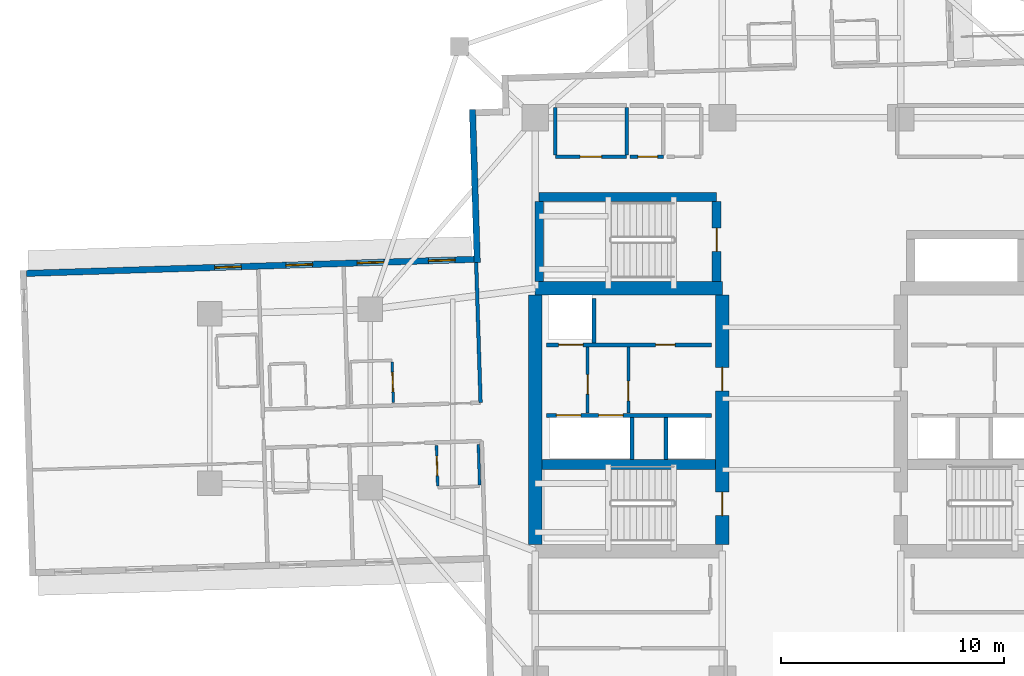
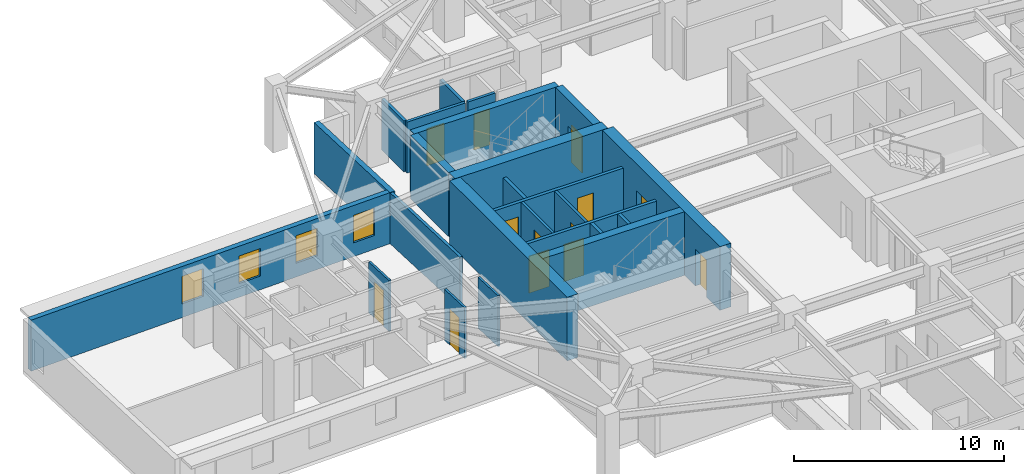
# One storey, part 5 of 14: 24 walls, 13 doors, 4 windows, 17 openings.
"""IFC4 building model written with IfcOpenShell, lengths in metres."""

import ifcopenshell
import ifcopenshell.guid

model = None  # the IFC model being written
_history = None  # IfcOwnerHistory: only IFC2X3 demands one
_inside = {}  # id of a spatial element -> (the spatial element, [elements in it])
_under = {}  # id of a project, library or spatial element -> (it, [spatial elements below it])
_declared = {}  # id of a project -> (the project, [libraries it declares])
_typed = {}  # id of a type object -> (the type object, [elements of that type])
_made_of = {}  # id of a material, layer set ... -> (it, [elements and type objects made of it])


def new_model(schema):
    """Start an empty IFC model of exactly this schema.

    Asked for "IFC4X3", IfcOpenShell would pick the latest addendum, in which some entities
    have other attributes; the version numbers below select the first issue.
    IFC2X3 requires an IfcOwnerHistory on every rooted entity: one is made here for all.
    """
    global model, _history
    if schema == "IFC4X3":
        model = ifcopenshell.file(schema_version=(4, 3, 0, 0))
    else:
        model = ifcopenshell.file(schema=schema)
    _inside.clear()
    _under.clear()
    _declared.clear()
    _typed.clear()
    _made_of.clear()
    _history = None
    if model.schema == "IFC2X3":
        org = make("IfcOrganization", Name="unknown")
        user = make(
            "IfcPersonAndOrganization",
            ThePerson=make("IfcPerson", FamilyName="unknown"),
            TheOrganization=org,
        )
        app = make(
            "IfcApplication",
            ApplicationDeveloper=org,
            Version="unknown",
            ApplicationFullName="unknown",
            ApplicationIdentifier="unknown",
        )
        _history = make(
            "IfcOwnerHistory",
            OwningUser=user,
            OwningApplication=app,
            ChangeAction="ADDED",
            CreationDate=0,
        )
    return model


def make(cls, **values):
    """One entity of the class cls with the attributes given. An attribute that is None is left unset."""
    return model.create_entity(
        cls, **{name: value for name, value in values.items() if value is not None}
    )


def rooted(cls, **values):
    """An entity with a GlobalId (a new one), such as an element, a storey or a relation."""
    return make(cls, GlobalId=ifcopenshell.guid.new(), OwnerHistory=_history, **values)


def si_unit(unit_type, name, prefix=None):
    """IfcSIUnit, for example si_unit("LENGTHUNIT", "METRE", prefix="MILLI")."""
    return make("IfcSIUnit", UnitType=unit_type, Prefix=prefix, Name=name)


def assignment(units):
    """IfcUnitAssignment: the units of a project."""
    return None if units is None else make("IfcUnitAssignment", Units=units)


def point(xyz):
    """IfcCartesianPoint."""
    return None if xyz is None else make("IfcCartesianPoint", Coordinates=xyz)


def direction(xyz):
    """IfcDirection."""
    return None if xyz is None else make("IfcDirection", DirectionRatios=xyz)


def frame(location, z_axis=None, x_axis=None):
    """IfcAxis2Placement3D, a coordinate frame: its origin and axes. An axis left out is left unset."""
    return make(
        "IfcAxis2Placement3D",
        Location=point(location),
        Axis=direction(z_axis),
        RefDirection=direction(x_axis),
    )


def frame_2d(location, x_axis=None):
    """IfcAxis2Placement2D, a coordinate frame in the plane: its origin and x axis."""
    return make(
        "IfcAxis2Placement2D", Location=point(location), RefDirection=direction(x_axis)
    )


def origin():
    """The frame at (0, 0, 0) with its axes left unset."""
    return frame((0.0, 0.0, 0.0))


def place(relative_to, where):
    """IfcLocalPlacement: puts the frame where relative to a parent placement (None: the world)."""
    return make(
        "IfcLocalPlacement", PlacementRelTo=relative_to, RelativePlacement=where
    )


def context(
    kind, dimensions, precision=None, world=None, true_north=None, identifier=None
):
    """IfcGeometricRepresentationContext, for example the 3D "Model" context."""
    return make(
        "IfcGeometricRepresentationContext",
        ContextIdentifier=identifier,
        ContextType=kind,
        CoordinateSpaceDimension=dimensions,
        Precision=precision,
        WorldCoordinateSystem=world,
        TrueNorth=true_north,
    )


def subcontext(parent, identifier, kind, view, scale=None):
    """IfcGeometricRepresentationSubContext, for example "Body" below "Model"."""
    return make(
        "IfcGeometricRepresentationSubContext",
        ContextIdentifier=identifier,
        ContextType=kind,
        ParentContext=parent,
        TargetScale=scale,
        TargetView=view,
    )


def project(units=None, contexts=None):
    """IfcProject with its units and contexts."""
    return rooted(
        "IfcProject",
        Name="project",
        RepresentationContexts=contexts,
        UnitsInContext=assignment(units),
    )


def spatial(cls, under=None, at=None, **own):
    """A site, building, storey or space (cls), placed at a placement, below another one or the project."""
    s = rooted(cls, ObjectPlacement=at, **own)
    if under is not None:
        _under.setdefault(under.id(), (under, []))[1].append(s)
    return s


def profile(cls, at=None, kind="AREA", **sizes):
    """A parametric profile (cls). Its sizes go by their IFC names, for example OverallWidth=200.0."""
    return make(cls, ProfileType=kind, Position=at, **sizes)


def rectangle(**sizes):
    """IfcRectangleProfileDef."""
    return profile("IfcRectangleProfileDef", **sizes)


def extrude(swept, where, along, depth):
    """IfcExtrudedAreaSolid: the profile swept, set in the frame where, extruded along a direction by depth."""
    return make(
        "IfcExtrudedAreaSolid",
        SweptArea=swept,
        Position=where,
        ExtrudedDirection=direction(along),
        Depth=depth,
    )


def shape(context_of_items, identifier, shape_type, items):
    """IfcShapeRepresentation: the items that make up one representation, for example the "Body"."""
    return make(
        "IfcShapeRepresentation",
        ContextOfItems=context_of_items,
        RepresentationIdentifier=identifier,
        RepresentationType=shape_type,
        Items=items,
    )


def material(Name=None, Category=None):
    """IfcMaterial."""
    return make("IfcMaterial", Name=Name, Category=Category)


def layer(
    of_material, thickness, ventilated=None, Name=None, Category=None, Priority=None
):
    """IfcMaterialLayer: one layer of a wall or slab, of a material (None: an air gap)."""
    return make(
        "IfcMaterialLayer",
        Material=of_material,
        LayerThickness=thickness,
        IsVentilated=ventilated,
        Name=Name,
        Category=Category,
        Priority=Priority,
    )


def layer_set(layers, Name=None):
    """IfcMaterialLayerSet."""
    return make("IfcMaterialLayerSet", MaterialLayers=layers, LayerSetName=Name)


def made_of(thing, what):
    """Note that an element or type object is made of a material, layer set ...; save() writes the relation."""
    if what is not None:
        _made_of.setdefault(what.id(), (what, []))[1].append(thing)
    return thing


def type_object(cls, material=None, **own):
    """A type object (cls), such as IfcWallType, which elements share."""
    return made_of(rooted(cls, **own), material)


def element(
    cls,
    number,
    at=None,
    inside=None,
    cuts=None,
    type_object=None,
    material=None,
    context=None,
    identifier="Body",
    shape_type=None,
    held_by="IfcProductDefinitionShape",
    body=None,
    shapes=None,
    **own,
):
    """One element of the class cls, such as IfcWall. Its Tag is "e" and its number.

    at: its placement. inside: the storey or other place that contains it. cuts: it is an
    opening in that element (IfcRelVoidsElement). A single representation is given by context,
    identifier, shape_type and body (its items); several are given by shapes. held_by: the class
    of the entity that holds the representations. save() writes the other relations.
    """
    e = rooted(cls, Tag="e%d" % number, ObjectPlacement=at, **own)
    if body is not None:
        shapes = [shape(context, identifier, shape_type, body)]
    if shapes is not None:
        e.Representation = make(held_by, Representations=shapes)
    if inside is not None:
        _inside.setdefault(inside.id(), (inside, []))[1].append(e)
    if cuts is not None:
        rooted(
            "IfcRelVoidsElement", RelatingBuildingElement=cuts, RelatedOpeningElement=e
        )
    if type_object is not None:
        _typed.setdefault(type_object.id(), (type_object, []))[1].append(e)
    return made_of(e, material)


def fill(opening, filler):
    """IfcRelFillsElement: the door or window that sits in an opening."""
    return rooted(
        "IfcRelFillsElement",
        RelatingOpeningElement=opening,
        RelatedBuildingElement=filler,
    )


def aggregate(whole, parts):
    """IfcRelAggregates: a whole, such as a stair, and the parts it consists of."""
    return rooted("IfcRelAggregates", RelatingObject=whole, RelatedObjects=parts)


def save(model, path):
    """Write the relations noted so far, then the file.

    IfcRelAggregates (storeys below a building ...), IfcRelContainedInSpatialStructure (elements
    in a storey), IfcRelDefinesByType, IfcRelAssociatesMaterial and IfcRelDeclares: one each for
    every whole, place, type object, material and project.
    """
    for whole, parts in _under.values():
        aggregate(whole, parts)
    for where, things in _inside.values():
        rooted(
            "IfcRelContainedInSpatialStructure",
            RelatedElements=things,
            RelatingStructure=where,
        )
    for kind, things in _typed.values():
        rooted("IfcRelDefinesByType", RelatedObjects=things, RelatingType=kind)
    for what, things in _made_of.values():
        rooted("IfcRelAssociatesMaterial", RelatedObjects=things, RelatingMaterial=what)
    for by, libraries in _declared.values():
        rooted("IfcRelDeclares", RelatingContext=by, RelatedDefinitions=libraries)
    model.write(path)


model = new_model("IFC4")

# Units and contexts
model_context = context("Model", 3, precision=1e-05, world=origin(), true_north=direction((0.0, 1.0)))
body_context = subcontext(model_context, "Body", "Model", "MODEL_VIEW")
ifc_project = project(units=[si_unit("LENGTHUNIT", "METRE"), si_unit("AREAUNIT", "SQUARE_METRE"), si_unit("VOLUMEUNIT", "CUBIC_METRE"), si_unit("PLANEANGLEUNIT", "RADIAN"), si_unit("MASSUNIT", "GRAM", prefix="KILO")], contexts=[model_context])

# Site, building, storey
site_placement = place(None, origin())
site = spatial("IfcSite", under=ifc_project, at=site_placement, CompositionType="ELEMENT")
building_placement = place(site_placement, origin())
building = spatial("IfcBuilding", under=site, at=building_placement, Name="Qingluan Cross Belvedere", CompositionType="ELEMENT")
storey_placement = place(building_placement, frame((0.0, 0.0, 135.89990234375)))
storey = spatial("IfcBuildingStorey", under=building, at=storey_placement, Name="L34", CompositionType="ELEMENT", Elevation=135.89990234375)

# Walls
ifc_material_1 = material(Name="Concrete C50", Category="concrete")
ifc_layer_1 = layer(ifc_material_1, 0.449951171875, Name="CoreShearWall_450")
ifc_layer_set_1 = layer_set([ifc_layer_1], Name="Concrete C50")
wall_type_1 = type_object("IfcWallType", Name="CoreShearWall_450", PredefinedType="SHEAR", material=ifc_layer_set_1)
wall_1_placement = place(storey_placement, frame((-12.094970703125, -2.9599609375, 0.0), z_axis=(0.0, 0.0, 1.0), x_axis=(1.0, 0.0, 0.0)))
element("IfcWall", 1, at=wall_1_placement, inside=storey, type_object=wall_type_1, Name="Split core W shear wall L34-M", PredefinedType="SHEAR", context=body_context, shape_type="SweptSolid", body=[
    extrude(rectangle(XDim=7.7900390625, YDim=0.449951171875, at=frame_2d((3.89501953125, 0.0))), origin(), (0.0, 0.0, 1.0), 3.7001953125),
])
wall_2_placement = place(storey_placement, frame((-12.219970703125, 9.0400390625, 0.0), z_axis=(0.0, 0.0, 1.0), x_axis=(1.0, 0.0, 0.0)))
element("IfcWall", 2, at=wall_2_placement, inside=storey, type_object=wall_type_1, Name="Stair ST3 structural wall N L34", PredefinedType="SHEAR", context=body_context, shape_type="SweptSolid", body=[
    extrude(rectangle(XDim=7.9599609375, YDim=0.39990234375, at=frame_2d((3.97998046875, 0.0))), origin(), (0.0, 0.0, 1.0), 3.7001953125),
])
wall_3_placement = place(storey_placement, frame((-12.219970703125, 5.2548828125, 0.0), z_axis=(0.0, 0.0, 1.0), x_axis=(0.0, 1.0, 0.0)))
element("IfcWall", 3, at=wall_3_placement, inside=storey, type_object=wall_type_1, Name="Stair ST3 structural wall W L34", PredefinedType="SHEAR", context=body_context, shape_type="SweptSolid", body=[
    extrude(rectangle(XDim=3.580078125, YDim=0.39990234375, at=frame_2d((1.7900390625, 0.0))), origin(), (0.0, 0.0, 1.0), 3.7001953125),
])

# Wall, opening, door
wall_4_placement = place(storey_placement, frame((-4.260009765625, 5.2548828125, 0.0), z_axis=(0.0, 0.0, 1.0), x_axis=(0.0, 1.0, 0.0)))
wall_4 = element("IfcWall", 4, at=wall_4_placement, inside=storey, type_object=wall_type_1, Name="Stair ST3 structural wall E L34", PredefinedType="SHEAR", context=body_context, shape_type="SweptSolid", body=[
    extrude(rectangle(XDim=3.580078125, YDim=0.39990234375, at=frame_2d((1.7900390625, 0.0))), origin(), (0.0, 0.0, 1.0), 3.7001953125),
])
opening_1_placement = place(wall_4_placement, frame((1.344970703125, 0.0, 0.0)))
opening_1 = element("IfcOpeningElement", 5, at=opening_1_placement, cuts=wall_4, Name="Opening FD-B11", PredefinedType="OPENING", context=body_context, shape_type="SweptSolid", body=[
    extrude(rectangle(XDim=1.050048828125, YDim=2.14990234375, at=frame_2d((0.52490234375, 1.074951171875))), frame((0.0, 0.2099609375, 0.0), z_axis=(0.0, -1.0, 0.0), x_axis=(1.0, 0.0, 0.0)), (0.0, 0.0, 1.0), 0.419921875),
])
ifc_material_2 = material(Name="Steel Class B smoke-seal fire door", Category="steel")
door_type_1 = type_object("IfcDoorType", Name="StairLobbyFireDoor_FDB", OperationType="NOTDEFINED", PredefinedType="DOOR", material=ifc_material_2)
door_1_placement = place(opening_1_placement, origin())
door_1 = element("IfcDoor", 6, at=door_1_placement, inside=storey, type_object=door_type_1, Name="Smoke-proof stair ST3 fire door L34", OperationType="SINGLE_SWING_RIGHT", OverallHeight=2.14990234375, OverallWidth=1.050048828125, PredefinedType="DOOR", context=body_context, shape_type="SweptSolid", body=[
    extrude(rectangle(XDim=1.050048828125, YDim=2.14990234375, at=frame_2d((0.52490234375, 1.074951171875))), frame((0.0, 0.02490234375, 0.0), z_axis=(0.0, -1.0, 0.0), x_axis=(1.0, 0.0, 0.0)), (0.0, 0.0, 1.0), 0.050048828125),
])
fill(opening_1, door_1)

# Walls
ifc_material_3 = material(Name="Concrete C60", Category="concrete")
ifc_layer_2 = layer(ifc_material_3, 0.60009765625, Name="CoreShearWall_600")
ifc_layer_set_2 = layer_set([ifc_layer_2], Name="Concrete C60")
wall_type_2 = type_object("IfcWallType", Name="CoreShearWall_600", PredefinedType="SHEAR", material=ifc_layer_set_2)
wall_5_placement = place(storey_placement, frame((-12.39990234375, 4.949951171875, 0.0), z_axis=(0.0, 0.0, 1.0), x_axis=(1.0, 0.0, 0.0)))
element("IfcWall", 7, at=wall_5_placement, inside=storey, type_object=wall_type_2, Name="Split core W shear wall L34-N", PredefinedType="SHEAR", context=body_context, shape_type="SweptSolid", body=[
    extrude(rectangle(XDim=8.39990234375, YDim=0.60009765625, at=frame_2d((4.199951171875, 0.0))), origin(), (0.0, 0.0, 1.0), 3.7001953125),
])
wall_6_placement = place(storey_placement, frame((-12.39990234375, -6.544921875, 0.0), z_axis=(0.0, 0.0, 1.0), x_axis=(0.0, 1.0, 0.0)))
element("IfcWall", 8, at=wall_6_placement, inside=storey, type_object=wall_type_2, Name="Split core W shear wall L34-W", PredefinedType="SHEAR", context=body_context, shape_type="SweptSolid", body=[
    extrude(rectangle(XDim=11.18994140625, YDim=0.60009765625, at=frame_2d((5.594970703125, 0.0))), origin(), (0.0, 0.0, 1.0), 3.7001953125),
])

# Wall, openings, doors
wall_7_placement = place(storey_placement, frame((-4.0, -6.544921875, 0.0), z_axis=(0.0, 0.0, 1.0), x_axis=(0.0, 1.0, 0.0)))
wall_7 = element("IfcWall", 9, at=wall_7_placement, inside=storey, type_object=wall_type_2, Name="Split core W shear wall L34-E", PredefinedType="SHEAR", context=body_context, shape_type="SweptSolid", body=[
    extrude(rectangle(XDim=11.18994140625, YDim=0.60009765625, at=frame_2d((5.594970703125, 0.0))), origin(), (0.0, 0.0, 1.0), 3.7001953125),
])
opening_2_placement = place(wall_7_placement, frame((1.294921875, 0.0, 0.0)))
opening_2 = element("IfcOpeningElement", 10, at=opening_2_placement, cuts=wall_7, Name="Opening FD-B11", PredefinedType="OPENING", context=body_context, shape_type="SweptSolid", body=[
    extrude(rectangle(XDim=1.050048828125, YDim=2.14990234375, at=frame_2d((0.52490234375, 1.074951171875))), frame((0.0, 0.31005859375, 0.0), z_axis=(0.0, -1.0, 0.0), x_axis=(1.0, 0.0, 0.0)), (0.0, 0.0, 1.0), 0.6201171875),
])
opening_3_placement = place(wall_7_placement, frame((6.89501953125, 0.0, 0.0)))
opening_3 = element("IfcOpeningElement", 11, at=opening_3_placement, cuts=wall_7, Name="Opening FD-B11", PredefinedType="OPENING", context=body_context, shape_type="SweptSolid", body=[
    extrude(rectangle(XDim=1.050048828125, YDim=2.14990234375, at=frame_2d((0.52490234375, 1.074951171875))), frame((0.0, 0.31005859375, 0.0), z_axis=(0.0, -1.0, 0.0), x_axis=(1.0, 0.0, 0.0)), (0.0, 0.0, 1.0), 0.6201171875),
])
door_2_placement = place(opening_2_placement, origin())
door_2 = element("IfcDoor", 12, at=door_2_placement, inside=storey, type_object=door_type_1, Name="Smoke-proof stair ST1 fire door L34", OperationType="SINGLE_SWING_RIGHT", OverallHeight=2.14990234375, OverallWidth=1.050048828125, PredefinedType="DOOR", context=body_context, shape_type="SweptSolid", body=[
    extrude(rectangle(XDim=1.050048828125, YDim=2.14990234375, at=frame_2d((0.52490234375, 1.074951171875))), frame((0.0, 0.02490234375, 0.0), z_axis=(0.0, -1.0, 0.0), x_axis=(1.0, 0.0, 0.0)), (0.0, 0.0, 1.0), 0.050048828125),
])
fill(opening_2, door_2)
door_3_placement = place(opening_3_placement, origin())
door_3 = element("IfcDoor", 13, at=door_3_placement, inside=storey, type_object=door_type_1, Name="Firefighting lobby West fire door L34", OperationType="SINGLE_SWING_RIGHT", OverallHeight=2.14990234375, OverallWidth=1.050048828125, PredefinedType="DOOR", context=body_context, shape_type="SweptSolid", body=[
    extrude(rectangle(XDim=1.050048828125, YDim=2.14990234375, at=frame_2d((0.52490234375, 1.074951171875))), frame((0.0, 0.02490234375, 0.0), z_axis=(0.0, -1.0, 0.0), x_axis=(1.0, 0.0, 0.0)), (0.0, 0.0, 1.0), 0.050048828125),
])
fill(opening_3, door_3)

# Wall, opening, door
ifc_material_4 = material(Name="Gypsum plasterboard on steel stud acoustic partition", Category="steel")
ifc_layer_3 = layer(ifc_material_4, 0.159912109375, Name="CorridorPartition_160")
ifc_layer_set_3 = layer_set([ifc_layer_3], Name="Gypsum plasterboard on steel stud acoustic partition")
wall_type_3 = type_object("IfcWallType", Name="CorridorPartition_160", PredefinedType="PARTITIONING", material=ifc_layer_set_3)
wall_8_placement = place(storey_placement, frame((-10.050048828125, -0.652099609375, 0.0), z_axis=(0.0, 0.0, 1.0), x_axis=(0.0, 1.0, 0.0)))
wall_8 = element("IfcWall", 14, at=wall_8_placement, inside=storey, type_object=wall_type_3, Name="Partition L34:wv", PredefinedType="PARTITIONING", context=body_context, shape_type="SweptSolid", body=[
    extrude(rectangle(XDim=2.962158203125, YDim=0.139892578125, at=frame_2d((1.48095703125, 0.0))), origin(), (0.0, 0.0, 1.0), 2.960205078125),
])
opening_4_placement = place(wall_8_placement, frame((0.85009765625, 0.0, 0.0)))
opening_4 = element("IfcOpeningElement", 15, at=opening_4_placement, cuts=wall_8, Name="Opening FD-B10", PredefinedType="OPENING", context=body_context, shape_type="SweptSolid", body=[
    extrude(rectangle(XDim=0.8798828125, YDim=2.10009765625, at=frame_2d((0.43994140625, 1.050048828125))), frame((0.0, 0.079833984375, 0.0), z_axis=(0.0, -1.0, 0.0), x_axis=(1.0, 0.0, 0.0)), (0.0, 0.0, 1.0), 0.159912109375),
])
ifc_material_5 = material(Name="Steel Class B service fire door", Category="steel")
door_type_2 = type_object("IfcDoorType", Name="RiserServiceFireDoor_FDB", OperationType="NOTDEFINED", PredefinedType="DOOR", material=ifc_material_5)
door_4_placement = place(opening_4_placement, origin())
door_4 = element("IfcDoor", 16, at=door_4_placement, inside=storey, type_object=door_type_2, Name="Service closet inner door L34", OperationType="SINGLE_SWING_LEFT", OverallHeight=2.10009765625, OverallWidth=0.8798828125, PredefinedType="DOOR", context=body_context, shape_type="SweptSolid", body=[
    extrude(rectangle(XDim=0.8798828125, YDim=2.10009765625, at=frame_2d((0.43994140625, 1.050048828125))), frame((0.0, 0.02490234375, 0.0), z_axis=(0.0, -1.0, 0.0), x_axis=(1.0, 0.0, 0.0)), (0.0, 0.0, 1.0), 0.050048828125),
])
fill(opening_4, door_4)

wall_9_placement = place(storey_placement, frame((-11.5, 10.85009765625, 0.0), z_axis=(0.0, 0.0, 1.0), x_axis=(1.0, 0.0, 0.0)))
wall_9 = element("IfcWall", 17, at=wall_9_placement, inside=storey, type_object=wall_type_3, Name="Partition L34:q_nw_occ:S", PredefinedType="PARTITIONING", context=body_context, shape_type="SweptSolid", body=[
    extrude(rectangle(XDim=3.199951171875, YDim=0.159912109375, at=frame_2d((1.60009765625, 0.0))), origin(), (0.0, 0.0, 1.0), 2.960205078125),
])
opening_5_placement = place(wall_9_placement, frame((1.1201171875, 0.0, 0.0)))
opening_5 = element("IfcOpeningElement", 18, at=opening_5_placement, cuts=wall_9, Name="Opening GD-10", PredefinedType="OPENING", context=body_context, shape_type="SweptSolid", body=[
    extrude(rectangle(XDim=0.9599609375, YDim=2.14990234375, at=frame_2d((0.47998046875, 1.074951171875))), frame((0.0, 0.08984375, 0.0), z_axis=(0.0, -1.0, 0.0), x_axis=(1.0, 0.0, 0.0)), (0.0, 0.0, 1.0), 0.179931640625),
])
ifc_material_6 = material(Name="Timber oak fire-rated acoustic guestroom door", Category="wood")
door_type_3 = type_object("IfcDoorType", Name="GuestEntryDoor_FD60", OperationType="NOTDEFINED", PredefinedType="DOOR", material=ifc_material_6)
door_5_placement = place(opening_5_placement, origin())
door_5 = element("IfcDoor", 19, at=door_5_placement, inside=storey, type_object=door_type_3, Name="Northwest corner reading salon L34 door", OperationType="SINGLE_SWING_RIGHT", OverallHeight=2.14990234375, OverallWidth=0.9599609375, PredefinedType="DOOR", context=body_context, shape_type="SweptSolid", body=[
    extrude(rectangle(XDim=0.9599609375, YDim=2.14990234375, at=frame_2d((0.47998046875, 1.074951171875))), frame((0.0, 0.02490234375, 0.0), z_axis=(0.0, -1.0, 0.0), x_axis=(1.0, 0.0, 0.0)), (0.0, 0.0, 1.0), 0.050048828125),
])
fill(opening_5, door_5)

# Walls
for number, where, z_axis, x_axis, name in (
    (20, (-11.5, 10.93505859375, 0.0), (0.0, 0.0, 1.0), (0.0, 1.0, 0.0), "Partition L34:q_nw_occ:W"),
    (21, (-8.300048828125, 10.93505859375, 0.0), (0.0, 0.0, 1.0), (0.0, 1.0, 0.0), "Partition L34:q_nw_occ:E"),
):
    element("IfcWall", number, at=place(storey_placement, frame(where, z_axis=z_axis, x_axis=x_axis)), inside=storey, type_object=wall_type_3, Name=name, PredefinedType="PARTITIONING", context=body_context, shape_type="SweptSolid", body=[
        extrude(rectangle(XDim=2.1298828125, YDim=0.159912109375, at=frame_2d((1.06494140625, 0.0))), origin(), (0.0, 0.0, 1.0), 2.960205078125),
    ])

# Wall, opening, door
wall_10_placement = place(storey_placement, frame((-8.139892578125, 10.85009765625, 0.0), z_axis=(0.0, 0.0, 1.0), x_axis=(1.0, 0.0, 0.0)))
wall_10 = element("IfcWall", 22, at=wall_10_placement, inside=storey, type_object=wall_type_3, Name="Partition L34:hk_linen:S", PredefinedType="PARTITIONING", context=body_context, shape_type="SweptSolid", body=[
    extrude(rectangle(XDim=1.489990234375, YDim=0.159912109375, at=frame_2d((0.7451171875, 0.0))), origin(), (0.0, 0.0, 1.0), 2.960205078125),
])
opening_6_placement = place(wall_10_placement, frame((0.35009765625, 0.0, 0.0)))
opening_6 = element("IfcOpeningElement", 23, at=opening_6_placement, cuts=wall_10, Name="Opening FD-B10", PredefinedType="OPENING", context=body_context, shape_type="SweptSolid", body=[
    extrude(rectangle(XDim=0.8798828125, YDim=2.10009765625, at=frame_2d((0.43994140625, 1.050048828125))), frame((0.0, 0.08984375, 0.0), z_axis=(0.0, -1.0, 0.0), x_axis=(1.0, 0.0, 0.0)), (0.0, 0.0, 1.0), 0.179931640625),
])
door_6_placement = place(opening_6_placement, origin())
door_6 = element("IfcDoor", 24, at=door_6_placement, inside=storey, type_object=door_type_2, Name="Housekeeping and linen store L34 door", OperationType="SINGLE_SWING_LEFT", OverallHeight=2.10009765625, OverallWidth=0.8798828125, PredefinedType="DOOR", context=body_context, shape_type="SweptSolid", body=[
    extrude(rectangle(XDim=0.8798828125, YDim=2.10009765625, at=frame_2d((0.43994140625, 1.050048828125))), frame((0.0, 0.02490234375, 0.0), z_axis=(0.0, -1.0, 0.0), x_axis=(1.0, 0.0, 0.0)), (0.0, 0.0, 1.0), 0.050048828125),
])
fill(opening_6, door_6)

# Wall
wall_11_placement = place(storey_placement, frame((-14.8515625, -0.1865234375, 0.0), z_axis=(0.0, 0.0, 1.0), x_axis=(-0.031429784908, 0.999505962274, 0.0)))
element("IfcWall", 25, at=wall_11_placement, inside=storey, type_object=wall_type_3, Name="Partition L34:W:s0", PredefinedType="PARTITIONING", context=body_context, shape_type="SweptSolid", body=[
    extrude(rectangle(XDim=6.2919921875, YDim=0.159912109375, at=frame_2d((3.14599609375, 0.0))), origin(), (0.0, 0.0, 1.0), 2.960205078125),
])

# Wall, opening, door
ifc_material_7 = material(Name="Moisture-resistant gypsum board lining")
ifc_layer_4 = layer(ifc_material_7, 0.1201171875, Name="EnsuiteWetPartition_120")
ifc_layer_set_4 = layer_set([ifc_layer_4], Name="Moisture-resistant gypsum board lining")
wall_type_4 = type_object("IfcWallType", Name="EnsuiteWetPartition_120", PredefinedType="PARTITIONING", material=ifc_layer_set_4)
wall_12_placement = place(storey_placement, frame((-18.763916015625, -0.16943359375, 0.0), z_axis=(0.0, 0.0, 1.0), x_axis=(-0.031389704724, 0.999507221803, 0.0)))
wall_12 = element("IfcWall", 26, at=wall_12_placement, inside=storey, type_object=wall_type_4, Name="Partition L34:W:bs0_0", PredefinedType="PARTITIONING", context=body_context, shape_type="SweptSolid", body=[
    extrude(rectangle(XDim=1.820068359375, YDim=0.1201171875, at=frame_2d((0.91015625, 0.0))), origin(), (0.0, 0.0, 1.0), 2.960205078125),
])
opening_7_placement = place(wall_12_placement, frame((0.469970703125, 0.0, 0.0)))
opening_7 = element("IfcOpeningElement", 27, at=opening_7_placement, cuts=wall_12, Name="Opening BD-09", PredefinedType="OPENING", context=body_context, shape_type="SweptSolid", body=[
    extrude(rectangle(XDim=0.8798828125, YDim=2.10009765625, at=frame_2d((0.43994140625, 1.050048828125))), frame((0.0, 0.070068359375, 0.0), z_axis=(0.0, -1.0, 0.0), x_axis=(1.0, 0.0, 0.0)), (0.0, 0.0, 1.0), 0.14013671875),
])
ifc_material_8 = material(Name="Moisture-sealed timber en-suite door", Category="wood")
door_type_4 = type_object("IfcDoorType", Name="BathroomDoor_880", OperationType="NOTDEFINED", PredefinedType="DOOR", material=ifc_material_8)
door_7_placement = place(opening_7_placement, origin())
door_7 = element("IfcDoor", 28, at=door_7_placement, inside=storey, type_object=door_type_4, Name="Bathroom door 3407", OperationType="SINGLE_SWING_LEFT", OverallHeight=2.10009765625, OverallWidth=0.8798828125, PredefinedType="DOOR", context=body_context, shape_type="SweptSolid", body=[
    extrude(rectangle(XDim=0.8798828125, YDim=2.10009765625, at=frame_2d((0.43994140625, 1.050048828125))), frame((0.0, 0.02490234375, 0.0), z_axis=(0.0, -1.0, 0.0), x_axis=(1.0, 0.0, 0.0)), (0.0, 0.0, 1.0), 0.050048828125),
])
fill(opening_7, door_7)

wall_13_placement = place(storey_placement, frame((-16.77490234375, -3.928955078125, 0.0), z_axis=(0.0, 0.0, 1.0), x_axis=(-0.031385496622, 0.999507353951, 0.0)))
wall_13 = element("IfcWall", 29, at=wall_13_placement, inside=storey, type_object=wall_type_4, Name="Partition L34:W:bs1_0", PredefinedType="PARTITIONING", context=body_context, shape_type="SweptSolid", body=[
    extrude(rectangle(XDim=1.8203125, YDim=0.1201171875, at=frame_2d((0.91015625, 0.0))), origin(), (0.0, 0.0, 1.0), 2.960205078125),
])
opening_8_placement = place(wall_13_placement, frame((0.469970703125, 0.0, 0.0)))
opening_8 = element("IfcOpeningElement", 30, at=opening_8_placement, cuts=wall_13, Name="Opening BD-09", PredefinedType="OPENING", context=body_context, shape_type="SweptSolid", body=[
    extrude(rectangle(XDim=0.8798828125, YDim=2.10009765625, at=frame_2d((0.43994140625, 1.050048828125))), frame((0.0, 0.070068359375, 0.0), z_axis=(0.0, -1.0, 0.0), x_axis=(1.0, 0.0, 0.0)), (0.0, 0.0, 1.0), 0.14013671875),
])
door_8_placement = place(opening_8_placement, origin())
door_8 = element("IfcDoor", 31, at=door_8_placement, inside=storey, type_object=door_type_4, Name="Bathroom door 3409", OperationType="SINGLE_SWING_LEFT", OverallHeight=2.10009765625, OverallWidth=0.8798828125, PredefinedType="DOOR", context=body_context, shape_type="SweptSolid", body=[
    extrude(rectangle(XDim=0.8798828125, YDim=2.10009765625, at=frame_2d((0.43994140625, 1.050048828125))), frame((0.0, 0.02490234375, 0.0), z_axis=(0.0, -1.0, 0.0), x_axis=(1.0, 0.0, 0.0)), (0.0, 0.0, 1.0), 0.050048828125),
])
fill(opening_8, door_8)

# Wall
wall_14_placement = place(storey_placement, frame((-14.895751953125, -3.869873046875, 0.0), z_axis=(0.0, 0.0, 1.0), x_axis=(-0.031389704724, 0.999507221803, 0.0)))
element("IfcWall", 32, at=wall_14_placement, inside=storey, type_object=wall_type_4, Name="Partition L34:W:bw1_0", PredefinedType="PARTITIONING", context=body_context, shape_type="SweptSolid", body=[
    extrude(rectangle(XDim=1.820068359375, YDim=0.1201171875, at=frame_2d((0.91015625, 0.0))), origin(), (0.0, 0.0, 1.0), 2.960205078125),
])

# Wall, openings, windows
ifc_material_9 = material(Name="Precast concrete C45", Category="concrete")
ifc_layer_5 = layer(ifc_material_9, 0.280029296875, Name="PrecastFacadeWall_280")
ifc_layer_set_5 = layer_set([ifc_layer_5], Name="Precast concrete C45")
wall_type_5 = type_object("IfcWallType", Name="PrecastFacadeWall_280", PredefinedType="STANDARD", material=ifc_layer_set_5)
wall_15_placement = place(storey_placement, frame((-15.143798828125, 6.247314453125, 0.0), z_axis=(0.0, 0.0, 1.0), x_axis=(-0.999506955354, -0.031398187845, 0.0)))
wall_15 = element("IfcWall", 33, at=wall_15_placement, inside=storey, type_object=wall_type_5, Name="Facade wall L34-WA", PredefinedType="STANDARD", context=body_context, shape_type="SweptSolid", body=[
    extrude(rectangle(XDim=20.10009765625, YDim=0.280029296875, at=frame_2d((10.050048828125, 0.0))), origin(), (0.0, 0.0, 1.0), 2.97021484375),
])
opening_9_placement = place(wall_15_placement, frame((0.85009765625, 0.0, 0.800048828125)))
opening_9 = element("IfcOpeningElement", 34, at=opening_9_placement, cuts=wall_15, Name="Opening W-02", PredefinedType="OPENING", context=body_context, shape_type="SweptSolid", body=[
    extrude(rectangle(XDim=1.199951171875, YDim=1.60009765625, at=frame_2d((0.60009765625, 0.800048828125))), frame((0.0, 0.14990234375, 0.0), z_axis=(0.0, -1.0, 0.0), x_axis=(1.0, 0.0, 0.0)), (0.0, 0.0, 1.0), 0.300048828125),
])
opening_10_placement = place(wall_15_placement, frame((4.050048828125, 0.0, 0.800048828125)))
opening_10 = element("IfcOpeningElement", 35, at=opening_10_placement, cuts=wall_15, Name="Opening W-02", PredefinedType="OPENING", context=body_context, shape_type="SweptSolid", body=[
    extrude(rectangle(XDim=1.199951171875, YDim=1.60009765625, at=frame_2d((0.60009765625, 0.800048828125))), frame((0.0, 0.14990234375, 0.0), z_axis=(0.0, -1.0, 0.0), x_axis=(1.0, 0.0, 0.0)), (0.0, 0.0, 1.0), 0.300048828125),
])
opening_11_placement = place(wall_15_placement, frame((7.25, 0.0, 0.800048828125)))
opening_11 = element("IfcOpeningElement", 36, at=opening_11_placement, cuts=wall_15, Name="Opening W-02", PredefinedType="OPENING", context=body_context, shape_type="SweptSolid", body=[
    extrude(rectangle(XDim=1.199951171875, YDim=1.60009765625, at=frame_2d((0.60009765625, 0.800048828125))), frame((0.0, 0.14990234375, 0.0), z_axis=(0.0, -1.0, 0.0), x_axis=(1.0, 0.0, 0.0)), (0.0, 0.0, 1.0), 0.300048828125),
])
opening_12_placement = place(wall_15_placement, frame((10.449951171875, 0.0, 0.800048828125)))
opening_12 = element("IfcOpeningElement", 37, at=opening_12_placement, cuts=wall_15, Name="Opening W-02", PredefinedType="OPENING", context=body_context, shape_type="SweptSolid", body=[
    extrude(rectangle(XDim=1.199951171875, YDim=1.60009765625, at=frame_2d((0.60009765625, 0.800048828125))), frame((0.0, 0.14990234375, 0.0), z_axis=(0.0, -1.0, 0.0), x_axis=(1.0, 0.0, 0.0)), (0.0, 0.0, 1.0), 0.300048828125),
])
ifc_material_10 = material(Name="Thermally broken triple Low-E glass in aluminium frame", Category="aluminium")
window_type = type_object("IfcWindowType", Name="TriRibbonWin_1200x1600", PartitioningType="SINGLE_PANEL", PredefinedType="WINDOW", material=ifc_material_10)
window_1_placement = place(opening_9_placement, origin())
window_1 = element("IfcWindow", 38, at=window_1_placement, inside=storey, type_object=window_type, Name="Ribbon window L34-WA-1", OverallHeight=1.60009765625, OverallWidth=1.199951171875, PartitioningType="SINGLE_PANEL", PredefinedType="WINDOW", context=body_context, shape_type="SweptSolid", body=[
    extrude(rectangle(XDim=1.199951171875, YDim=1.60009765625, at=frame_2d((0.60009765625, 0.800048828125))), frame((0.0, 0.030029296875, 0.0), z_axis=(0.0, -1.0, 0.0), x_axis=(1.0, 0.0, 0.0)), (0.0, 0.0, 1.0), 0.06005859375),
])
fill(opening_9, window_1)
window_2_placement = place(opening_10_placement, origin())
window_2 = element("IfcWindow", 39, at=window_2_placement, inside=storey, type_object=window_type, Name="Ribbon window L34-WA-2", OverallHeight=1.60009765625, OverallWidth=1.199951171875, PartitioningType="SINGLE_PANEL", PredefinedType="WINDOW", context=body_context, shape_type="SweptSolid", body=[
    extrude(rectangle(XDim=1.199951171875, YDim=1.60009765625, at=frame_2d((0.60009765625, 0.800048828125))), frame((0.0, 0.030029296875, 0.0), z_axis=(0.0, -1.0, 0.0), x_axis=(1.0, 0.0, 0.0)), (0.0, 0.0, 1.0), 0.06005859375),
])
fill(opening_10, window_2)
window_3_placement = place(opening_11_placement, origin())
window_3 = element("IfcWindow", 40, at=window_3_placement, inside=storey, type_object=window_type, Name="Ribbon window L34-WA-3", OverallHeight=1.60009765625, OverallWidth=1.199951171875, PartitioningType="SINGLE_PANEL", PredefinedType="WINDOW", context=body_context, shape_type="SweptSolid", body=[
    extrude(rectangle(XDim=1.199951171875, YDim=1.60009765625, at=frame_2d((0.60009765625, 0.800048828125))), frame((0.0, 0.030029296875, 0.0), z_axis=(0.0, -1.0, 0.0), x_axis=(1.0, 0.0, 0.0)), (0.0, 0.0, 1.0), 0.06005859375),
])
fill(opening_11, window_3)
window_4_placement = place(opening_12_placement, origin())
window_4 = element("IfcWindow", 41, at=window_4_placement, inside=storey, type_object=window_type, Name="Ribbon window L34-WA-4", OverallHeight=1.60009765625, OverallWidth=1.199951171875, PartitioningType="SINGLE_PANEL", PredefinedType="WINDOW", context=body_context, shape_type="SweptSolid", body=[
    extrude(rectangle(XDim=1.199951171875, YDim=1.60009765625, at=frame_2d((0.60009765625, 0.800048828125))), frame((0.0, 0.030029296875, 0.0), z_axis=(0.0, -1.0, 0.0), x_axis=(1.0, 0.0, 0.0)), (0.0, 0.0, 1.0), 0.06005859375),
])
fill(opening_12, window_4)

# Wall
wall_16_placement = place(storey_placement, frame((-14.99951171875, 6.11181640625, 0.0), z_axis=(0.0, 0.0, 1.0), x_axis=(-0.031389189386, 0.999507237988, 0.0)))
element("IfcWall", 42, at=wall_16_placement, inside=storey, type_object=wall_type_5, Name="Corner wall L34-NW1", PredefinedType="STANDARD", context=body_context, shape_type="SweptSolid", body=[
    extrude(rectangle(XDim=6.860107421875, YDim=0.280029296875, at=frame_2d((3.43017578125, 0.0))), origin(), (0.0, 0.0, 1.0), 2.97021484375),
])

# Wall, openings, doors
ifc_material_11 = material(Name="Concrete C40", Category="concrete")
ifc_layer_6 = layer(ifc_material_11, 0.219970703125, Name="ShaftEnclosureWall_250")
ifc_layer_set_6 = layer_set([ifc_layer_6], Name="Concrete C40")
wall_type_6 = type_object("IfcWallType", Name="ShaftEnclosureWall_250", PredefinedType="SOLIDWALL", material=ifc_layer_set_6)
wall_17_placement = place(storey_placement, frame((-11.89990234375, 2.409912109375, 0.0), z_axis=(0.0, 0.0, 1.0), x_axis=(1.0, 0.0, 0.0)))
wall_17 = element("IfcWall", 43, at=wall_17_placement, inside=storey, type_object=wall_type_6, Name="Core-W north hoistway wall L34", PredefinedType="SOLIDWALL", context=body_context, shape_type="SweptSolid", body=[
    extrude(rectangle(XDim=7.419921875, YDim=0.179931640625, at=frame_2d((3.7099609375, 0.0))), origin(), (0.0, 0.0, 1.0), 2.960205078125),
])
opening_13_placement = place(wall_17_placement, frame((0.550048828125, 0.0, 0.0)))
opening_13 = element("IfcOpeningElement", 44, at=opening_13_placement, cuts=wall_17, Name="Opening LD-11", PredefinedType="OPENING", context=body_context, shape_type="SweptSolid", body=[
    extrude(rectangle(XDim=1.10009765625, YDim=2.14990234375, at=frame_2d((0.550048828125, 1.074951171875))), frame((0.0, 0.099853515625, 0.0), z_axis=(0.0, -1.0, 0.0), x_axis=(1.0, 0.0, 0.0)), (0.0, 0.0, 1.0), 0.199951171875),
])
opening_14_placement = place(wall_17_placement, frame((4.89990234375, 0.0, 0.0)))
opening_14 = element("IfcOpeningElement", 45, at=opening_14_placement, cuts=wall_17, Name="Opening FD-B10", PredefinedType="OPENING", context=body_context, shape_type="SweptSolid", body=[
    extrude(rectangle(XDim=0.8798828125, YDim=2.10009765625, at=frame_2d((0.43994140625, 1.050048828125))), frame((0.0, 0.099853515625, 0.0), z_axis=(0.0, -1.0, 0.0), x_axis=(1.0, 0.0, 0.0)), (0.0, 0.0, 1.0), 0.199951171875),
])
ifc_material_12 = material(Name="Brushed stainless steel centre-opening lift landing door", Category="steel")
door_type_5 = type_object("IfcDoorType", Name="LiftLandingSlidingDoor_1100", OperationType="DOUBLE_DOOR_SLIDING", PredefinedType="DOOR", material=ifc_material_12)
door_9_placement = place(opening_13_placement, origin())
door_9 = element("IfcDoor", 46, at=door_9_placement, inside=storey, type_object=door_type_5, Name="Lift landing sliding door FL1 L34", OperationType="DOUBLE_DOOR_SLIDING", OverallHeight=2.14990234375, OverallWidth=1.10009765625, PredefinedType="DOOR", context=body_context, shape_type="SweptSolid", body=[
    extrude(rectangle(XDim=1.10009765625, YDim=2.14990234375, at=frame_2d((0.550048828125, 1.074951171875))), frame((0.0, 0.02490234375, 0.0), z_axis=(0.0, -1.0, 0.0), x_axis=(1.0, 0.0, 0.0)), (0.0, 0.0, 1.0), 0.050048828125),
])
fill(opening_13, door_9)
door_10_placement = place(opening_14_placement, origin())
door_10 = element("IfcDoor", 47, at=door_10_placement, inside=storey, type_object=door_type_2, Name="Housekeeping supply room door W L34", OperationType="SINGLE_SWING_LEFT", OverallHeight=2.10009765625, OverallWidth=0.8798828125, PredefinedType="DOOR", context=body_context, shape_type="SweptSolid", body=[
    extrude(rectangle(XDim=0.8798828125, YDim=2.10009765625, at=frame_2d((0.43994140625, 1.050048828125))), frame((0.0, 0.02490234375, 0.0), z_axis=(0.0, -1.0, 0.0), x_axis=(1.0, 0.0, 0.0)), (0.0, 0.0, 1.0), 0.050048828125),
])
fill(opening_14, door_10)

wall_18_placement = place(storey_placement, frame((-11.89990234375, -0.75, 0.0), z_axis=(0.0, 0.0, 1.0), x_axis=(1.0, 0.0, 0.0)))
wall_18 = element("IfcWall", 48, at=wall_18_placement, inside=storey, type_object=wall_type_6, Name="Core-W mid hoistway wall L34", PredefinedType="SOLIDWALL", context=body_context, shape_type="SweptSolid", body=[
    extrude(rectangle(XDim=7.419921875, YDim=0.179931640625, at=frame_2d((3.7099609375, 0.0))), origin(), (0.0, 0.0, 1.0), 2.960205078125),
])
opening_15_placement = place(wall_18_placement, frame((0.449951171875, 0.0, 0.0)))
opening_15 = element("IfcOpeningElement", 49, at=opening_15_placement, cuts=wall_18, Name="Opening LD-11", PredefinedType="OPENING", context=body_context, shape_type="SweptSolid", body=[
    extrude(rectangle(XDim=1.10009765625, YDim=2.14990234375, at=frame_2d((0.550048828125, 1.074951171875))), frame((0.0, 0.099853515625, 0.0), z_axis=(0.0, -1.0, 0.0), x_axis=(1.0, 0.0, 0.0)), (0.0, 0.0, 1.0), 0.199951171875),
])
opening_16_placement = place(wall_18_placement, frame((2.35009765625, 0.0, 0.0)))
opening_16 = element("IfcOpeningElement", 50, at=opening_16_placement, cuts=wall_18, Name="Opening LD-11", PredefinedType="OPENING", context=body_context, shape_type="SweptSolid", body=[
    extrude(rectangle(XDim=1.10009765625, YDim=2.14990234375, at=frame_2d((0.550048828125, 1.074951171875))), frame((0.0, 0.099853515625, 0.0), z_axis=(0.0, -1.0, 0.0), x_axis=(1.0, 0.0, 0.0)), (0.0, 0.0, 1.0), 0.199951171875),
])
door_11_placement = place(opening_15_placement, origin())
door_11 = element("IfcDoor", 51, at=door_11_placement, inside=storey, type_object=door_type_5, Name="Lift landing sliding door LP5 L34", OperationType="DOUBLE_DOOR_SLIDING", OverallHeight=2.14990234375, OverallWidth=1.10009765625, PredefinedType="DOOR", context=body_context, shape_type="SweptSolid", body=[
    extrude(rectangle(XDim=1.10009765625, YDim=2.14990234375, at=frame_2d((0.550048828125, 1.074951171875))), frame((0.0, 0.02490234375, 0.0), z_axis=(0.0, -1.0, 0.0), x_axis=(1.0, 0.0, 0.0)), (0.0, 0.0, 1.0), 0.050048828125),
])
fill(opening_15, door_11)
door_12_placement = place(opening_16_placement, origin())
door_12 = element("IfcDoor", 52, at=door_12_placement, inside=storey, type_object=door_type_5, Name="Lift landing sliding door LP6 L34", OperationType="DOUBLE_DOOR_SLIDING", OverallHeight=2.14990234375, OverallWidth=1.10009765625, PredefinedType="DOOR", context=body_context, shape_type="SweptSolid", body=[
    extrude(rectangle(XDim=1.10009765625, YDim=2.14990234375, at=frame_2d((0.550048828125, 1.074951171875))), frame((0.0, 0.02490234375, 0.0), z_axis=(0.0, -1.0, 0.0), x_axis=(1.0, 0.0, 0.0)), (0.0, 0.0, 1.0), 0.050048828125),
])
fill(opening_16, door_12)

# Walls
wall_19_placement = place(storey_placement, frame((-9.760009765625, 2.5, 0.0), z_axis=(0.0, 0.0, 1.0), x_axis=(0.0, 1.0, 0.0)))
element("IfcWall", 53, at=wall_19_placement, inside=storey, type_object=wall_type_6, Name="Hoistway enclosure divider FL1E L34", PredefinedType="SOLIDWALL", context=body_context, shape_type="SweptSolid", body=[
    extrude(rectangle(XDim=1.989990234375, YDim=0.179931640625, at=frame_2d((0.9951171875, 0.0))), origin(), (0.0, 0.0, 1.0), 2.960205078125),
])
for number, where, z_axis, x_axis, name in (
    (54, (-8.06005859375, -2.72998046875, 0.0), (0.0, 0.0, 1.0), (0.0, 1.0, 0.0), "Hoistway enclosure divider LP6E L34"),
    (55, (-6.5400390625, -2.72998046875, 0.0), (0.0, 0.0, 1.0), (0.0, 1.0, 0.0), "Hoistway enclosure divider LP8W L34"),
):
    element("IfcWall", number, at=place(storey_placement, frame(where, z_axis=z_axis, x_axis=x_axis)), inside=storey, type_object=wall_type_6, Name=name, PredefinedType="SOLIDWALL", context=body_context, shape_type="SweptSolid", body=[
        extrude(rectangle(XDim=1.889892578125, YDim=0.179931640625, at=frame_2d((0.94482421875, 0.0))), origin(), (0.0, 0.0, 1.0), 2.960205078125),
    ])

# Wall, opening, door
wall_20_placement = place(storey_placement, frame((-8.219970703125, -0.64990234375, 0.0), z_axis=(0.0, 0.0, 1.0), x_axis=(0.0, 1.0, 0.0)))
wall_20 = element("IfcWall", 56, at=wall_20_placement, inside=storey, type_object=wall_type_6, Name="Core-W service corridor wall L34", PredefinedType="SOLIDWALL", context=body_context, shape_type="SweptSolid", body=[
    extrude(rectangle(XDim=2.9599609375, YDim=0.139892578125, at=frame_2d((1.47998046875, 0.0))), origin(), (0.0, 0.0, 1.0), 2.960205078125),
])
opening_17_placement = place(wall_20_placement, frame((0.550048828125, 0.0, 0.0)))
opening_17 = element("IfcOpeningElement", 57, at=opening_17_placement, cuts=wall_20, Name="Opening FD-B10", PredefinedType="OPENING", context=body_context, shape_type="SweptSolid", body=[
    extrude(rectangle(XDim=0.8798828125, YDim=2.10009765625, at=frame_2d((0.43994140625, 1.050048828125))), frame((0.0, 0.079833984375, 0.0), z_axis=(0.0, -1.0, 0.0), x_axis=(1.0, 0.0, 0.0)), (0.0, 0.0, 1.0), 0.159912109375),
])
door_13_placement = place(opening_17_placement, origin())
door_13 = element("IfcDoor", 58, at=door_13_placement, inside=storey, type_object=door_type_2, Name="Core-W service room door L34", OperationType="SINGLE_SWING_LEFT", OverallHeight=2.10009765625, OverallWidth=0.8798828125, PredefinedType="DOOR", context=body_context, shape_type="SweptSolid", body=[
    extrude(rectangle(XDim=0.8798828125, YDim=2.10009765625, at=frame_2d((0.43994140625, 1.050048828125))), frame((0.0, 0.02490234375, 0.0), z_axis=(0.0, -1.0, 0.0), x_axis=(1.0, 0.0, 0.0)), (0.0, 0.0, 1.0), 0.050048828125),
])
fill(opening_17, door_13)

save(model, "model.ifc")
